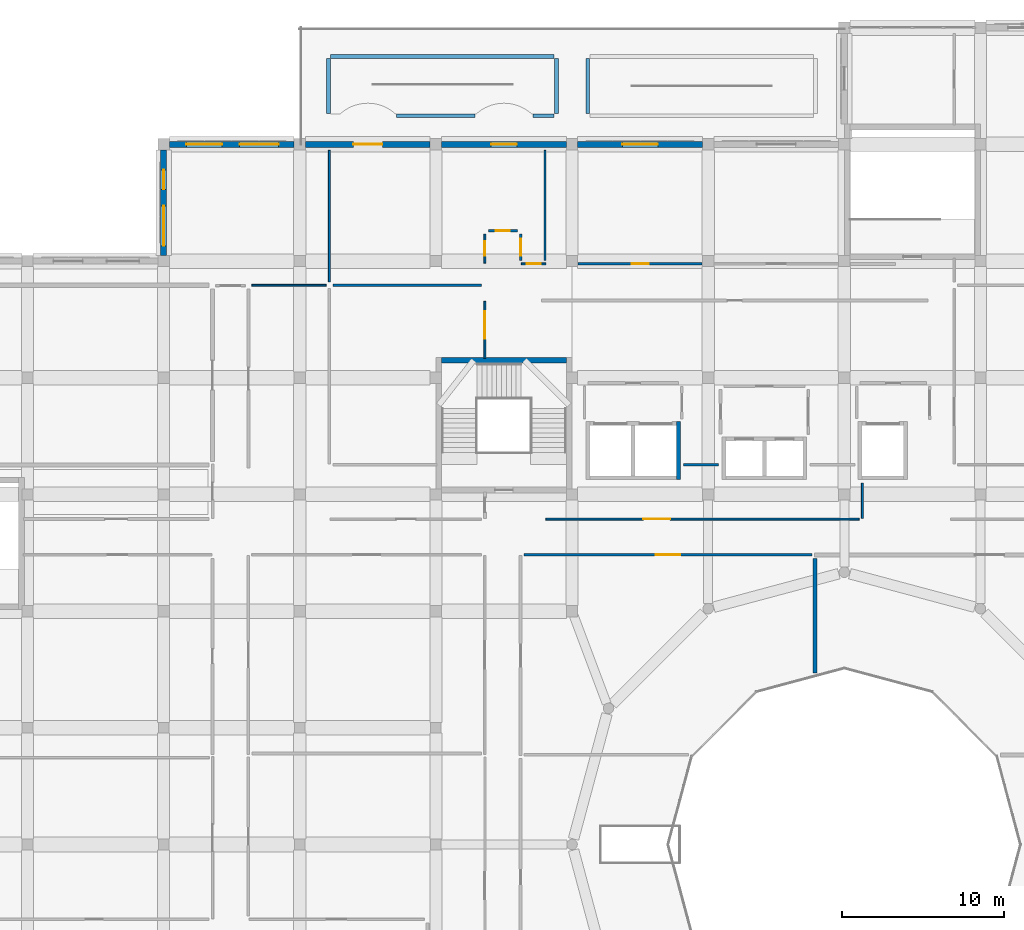
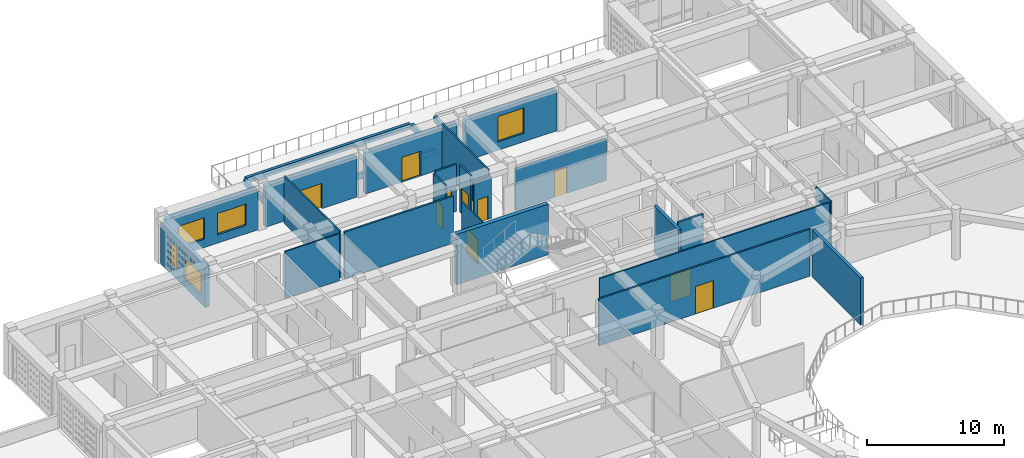
# One storey, part 48 of 79: 28 walls, 10 doors, 5 windows, 15 openings.
"""IFC4 building model written with IfcOpenShell, lengths in metres."""

from ifc_helpers import new_model, si_unit, derived_unit, direction, frame, frame_2d, origin, place, context, subcontext, project, spatial, rectangle, extrude, material, layer, layer_set, type_object, element, fill, save


model = new_model("IFC4")

# Units and contexts
model_context = context("Model", 3, precision=1e-05, world=origin(), true_north=direction((0.0, 1.0)))
body_context = subcontext(model_context, "Body", "Model", "MODEL_VIEW")
ifc_project = project(units=[si_unit("LENGTHUNIT", "METRE"), si_unit("AREAUNIT", "SQUARE_METRE"), si_unit("VOLUMEUNIT", "CUBIC_METRE"), si_unit("PLANEANGLEUNIT", "RADIAN"), si_unit("MASSUNIT", "GRAM", prefix="KILO"), derived_unit("THERMALTRANSMITTANCEUNIT", [(si_unit("POWERUNIT", "WATT"), 1), (si_unit("LENGTHUNIT", "METRE"), -2), (si_unit("THERMODYNAMICTEMPERATUREUNIT", "KELVIN"), -1)])], contexts=[model_context])

# Site, building, storey
site_placement = place(None, origin())
site = spatial("IfcSite", under=ifc_project, at=site_placement, CompositionType="ELEMENT")
building_placement = place(site_placement, origin())
building = spatial("IfcBuilding", under=site, at=building_placement, Name="Veybourne Emporium", CompositionType="ELEMENT")
storey_placement = place(building_placement, frame((0.0, 0.0, 18.89990234375)))
storey = spatial("IfcBuildingStorey", under=building, at=storey_placement, Name="L04", CompositionType="ELEMENT", Elevation=18.89990234375)

# Wall, openings, windows
ifc_material_1 = material(Name="Portland Limestone Ashlar", Category="masonry")
ifc_layer_1 = layer(ifc_material_1, 0.3798828125)
ifc_layer_set_1 = layer_set([ifc_layer_1], Name="Portland Limestone Ashlar")
wall_type_1 = type_object("IfcWallType", Name="ExtWall_EW-03", PredefinedType="SOLIDWALL", material=ifc_layer_set_1)
wall_1_placement = place(storey_placement, frame((33.949951171875, 93.60009765625, 0.0), z_axis=(0.0, 0.0, 1.0), x_axis=(1.0, 0.0, 0.0)))
wall_1 = element("IfcWall", 1, at=wall_1_placement, inside=storey, type_object=wall_type_1, Name="L04 Portland stone external wall 022", PredefinedType="SOLIDWALL", context=body_context, shape_type="SweptSolid", body=[
    extrude(rectangle(XDim=7.699951171875, YDim=0.3798828125, at=frame_2d((3.85009765625, 0.0))), origin(), (0.0, 0.0, 1.0), 3.630126953125),
])
opening_1_placement = place(wall_1_placement, frame((1.055908203125, 0.0, 0.75)))
opening_1 = element("IfcOpeningElement", 2, at=opening_1_placement, cuts=wall_1, Name="Opening W-06", PredefinedType="OPENING", context=body_context, shape_type="SweptSolid", body=[
    extrude(rectangle(XDim=2.199951171875, YDim=1.89990234375, at=frame_2d((1.10009765625, 0.949951171875))), frame((0.0, 0.2099609375, 0.0), z_axis=(0.0, -1.0, 0.0), x_axis=(1.0, 0.0, 0.0)), (0.0, 0.0, 1.0), 0.419921875),
])
opening_2_placement = place(wall_1_placement, frame((4.343994140625, 0.0, 0.75)))
opening_2 = element("IfcOpeningElement", 3, at=opening_2_placement, cuts=wall_1, Name="Opening W-07", PredefinedType="OPENING", context=body_context, shape_type="SweptSolid", body=[
    extrude(rectangle(XDim=2.39990234375, YDim=1.89990234375, at=frame_2d((1.199951171875, 0.949951171875))), frame((0.0, 0.2099609375, 0.0), z_axis=(0.0, -1.0, 0.0), x_axis=(1.0, 0.0, 0.0)), (0.0, 0.0, 1.0), 0.419921875),
])
ifc_material_2 = material(Name="Low-E Triple Glazing", Category="glass")
window_type_1 = type_object("IfcWindowType", Name="Win_W-06", PartitioningType="TRIPLE_PANEL_VERTICAL", PredefinedType="WINDOW", material=ifc_material_2)
window_1_placement = place(opening_1_placement, origin())
window_1 = element("IfcWindow", 4, at=window_1_placement, inside=storey, type_object=window_type_1, Name="L04 tripartite bronze casement window W-06 (22.1)", OverallHeight=1.89990234375, OverallWidth=2.199951171875, PartitioningType="TRIPLE_PANEL_VERTICAL", PredefinedType="WINDOW", context=body_context, shape_type="SweptSolid", body=[
    extrude(rectangle(XDim=2.199951171875, YDim=1.89990234375, at=frame_2d((1.10009765625, 0.949951171875))), frame((0.0, 0.030029296875, 0.0), z_axis=(0.0, -1.0, 0.0), x_axis=(1.0, 0.0, 0.0)), (0.0, 0.0, 1.0), 0.06005859375),
])
fill(opening_1, window_1)
window_type_2 = type_object("IfcWindowType", Name="Win_W-07", PartitioningType="TRIPLE_PANEL_VERTICAL", PredefinedType="WINDOW", material=ifc_material_2)
window_2_placement = place(opening_2_placement, origin())
window_2 = element("IfcWindow", 5, at=window_2_placement, inside=storey, type_object=window_type_2, Name="L04 tripartite bronze casement window W-07 (22.2)", OverallHeight=1.89990234375, OverallWidth=2.39990234375, PartitioningType="TRIPLE_PANEL_VERTICAL", PredefinedType="WINDOW", context=body_context, shape_type="SweptSolid", body=[
    extrude(rectangle(XDim=2.39990234375, YDim=1.89990234375, at=frame_2d((1.199951171875, 0.949951171875))), frame((0.0, 0.030029296875, 0.0), z_axis=(0.0, -1.0, 0.0), x_axis=(1.0, 0.0, 0.0)), (0.0, 0.0, 1.0), 0.06005859375),
])
fill(opening_2, window_2)

wall_2_placement = place(storey_placement, frame((33.60009765625, 86.75, 0.0), z_axis=(0.0, 0.0, 1.0), x_axis=(0.0, 1.0, 0.0)))
wall_2 = element("IfcWall", 6, at=wall_2_placement, inside=storey, type_object=wall_type_1, Name="L04 Portland stone external wall 023", PredefinedType="SOLIDWALL", context=body_context, shape_type="SweptSolid", body=[
    extrude(rectangle(XDim=6.5, YDim=0.3798828125, at=frame_2d((3.25, 0.0))), origin(), (0.0, 0.0, 1.0), 3.630126953125),
])
opening_3_placement = place(wall_2_placement, frame((0.5849609375, 0.0, 0.75)))
opening_3 = element("IfcOpeningElement", 7, at=opening_3_placement, cuts=wall_2, Name="Opening W-08", PredefinedType="OPENING", context=body_context, shape_type="SweptSolid", body=[
    extrude(rectangle(XDim=2.469970703125, YDim=1.89990234375, at=frame_2d((1.23486328125, 0.949951171875))), frame((0.0, 0.2099609375, 0.0), z_axis=(0.0, -1.0, 0.0), x_axis=(1.0, 0.0, 0.0)), (0.0, 0.0, 1.0), 0.419921875),
])
opening_4_placement = place(wall_2_placement, frame((4.080078125, 0.0, 0.75)))
opening_4 = element("IfcOpeningElement", 8, at=opening_4_placement, cuts=wall_2, Name="Opening W-09", PredefinedType="OPENING", context=body_context, shape_type="SweptSolid", body=[
    extrude(rectangle(XDim=1.199951171875, YDim=2.080078125, at=frame_2d((0.60009765625, 1.0400390625))), frame((0.0, 0.2099609375, 0.0), z_axis=(0.0, -1.0, 0.0), x_axis=(1.0, 0.0, 0.0)), (0.0, 0.0, 1.0), 0.419921875),
])
window_type_3 = type_object("IfcWindowType", Name="Win_W-08", PartitioningType="TRIPLE_PANEL_VERTICAL", PredefinedType="WINDOW", material=ifc_material_2)
window_3_placement = place(opening_3_placement, origin())
window_3 = element("IfcWindow", 9, at=window_3_placement, inside=storey, type_object=window_type_3, Name="L04 tripartite bronze casement window W-08 (23.1)", OverallHeight=1.89990234375, OverallWidth=2.469970703125, PartitioningType="TRIPLE_PANEL_VERTICAL", PredefinedType="WINDOW", context=body_context, shape_type="SweptSolid", body=[
    extrude(rectangle(XDim=2.469970703125, YDim=1.89990234375, at=frame_2d((1.23486328125, 0.949951171875))), frame((0.0, 0.030029296875, 0.0), z_axis=(0.0, -1.0, 0.0), x_axis=(1.0, 0.0, 0.0)), (0.0, 0.0, 1.0), 0.06005859375),
])
fill(opening_3, window_3)
window_type_4 = type_object("IfcWindowType", Name="Win_W-09", PartitioningType="SINGLE_PANEL", PredefinedType="WINDOW", material=ifc_material_2)
window_4_placement = place(opening_4_placement, origin())
window_4 = element("IfcWindow", 10, at=window_4_placement, inside=storey, type_object=window_type_4, Name="L04 tripartite bronze casement window W-09 (23.2)", OverallHeight=2.080078125, OverallWidth=1.199951171875, PartitioningType="SINGLE_PANEL", PredefinedType="WINDOW", context=body_context, shape_type="SweptSolid", body=[
    extrude(rectangle(XDim=1.199951171875, YDim=2.080078125, at=frame_2d((0.60009765625, 1.0400390625))), frame((0.0, 0.030029296875, 0.0), z_axis=(0.0, -1.0, 0.0), x_axis=(1.0, 0.0, 0.0)), (0.0, 0.0, 1.0), 0.06005859375),
])
fill(opening_4, window_4)

# Wall, opening, door
wall_3_placement = place(storey_placement, frame((42.35009765625, 93.60009765625, 0.0), z_axis=(0.0, 0.0, 1.0), x_axis=(1.0, 0.0, 0.0)))
wall_3 = element("IfcWall", 11, at=wall_3_placement, inside=storey, type_object=wall_type_1, Name="L04 terrace facade wall 030", PredefinedType="SOLIDWALL", context=body_context, shape_type="SweptSolid", body=[
    extrude(rectangle(XDim=7.699951171875, YDim=0.3798828125, at=frame_2d((3.85009765625, 0.0))), origin(), (0.0, 0.0, 1.0), 3.630126953125),
])
opening_5_placement = place(wall_3_placement, frame((2.949951171875, 0.0, 0.0)))
opening_5 = element("IfcOpeningElement", 12, at=opening_5_placement, cuts=wall_3, Name="Opening TD-01", PredefinedType="OPENING", context=body_context, shape_type="SweptSolid", body=[
    extrude(rectangle(XDim=1.800048828125, YDim=2.25, at=frame_2d((0.89990234375, 1.125))), frame((0.0, 0.2099609375, 0.0), z_axis=(0.0, -1.0, 0.0), x_axis=(1.0, 0.0, 0.0)), (0.0, 0.0, 1.0), 0.419921875),
])
ifc_material_3 = material(Name="Patinated Architectural Bronze", Category="bronze")
door_type_1 = type_object("IfcDoorType", Name="TerrDoor_TD-01", OperationType="NOTDEFINED", PredefinedType="DOOR", material=ifc_material_3)
door_1_placement = place(opening_5_placement, origin())
door_1 = element("IfcDoor", 13, at=door_1_placement, inside=storey, type_object=door_type_1, Name="L04 roof-garden terrace door 01", OperationType="SINGLE_SWING_RIGHT", OverallHeight=2.25, OverallWidth=1.800048828125, PredefinedType="DOOR", context=body_context, shape_type="SweptSolid", body=[
    extrude(rectangle(XDim=1.800048828125, YDim=2.25, at=frame_2d((0.89990234375, 1.125))), frame((0.0, 0.02490234375, 0.0), z_axis=(0.0, -1.0, 0.0), x_axis=(1.0, 0.0, 0.0)), (0.0, 0.0, 1.0), 0.050048828125),
])
fill(opening_5, door_1)

wall_4_placement = place(storey_placement, frame((50.75, 93.60009765625, 0.0), z_axis=(0.0, 0.0, 1.0), x_axis=(1.0, 0.0, 0.0)))
wall_4 = element("IfcWall", 14, at=wall_4_placement, inside=storey, type_object=wall_type_1, Name="L04 terrace facade wall 032", PredefinedType="SOLIDWALL", context=body_context, shape_type="SweptSolid", body=[
    extrude(rectangle(XDim=7.699951171875, YDim=0.3798828125, at=frame_2d((3.85009765625, 0.0))), origin(), (0.0, 0.0, 1.0), 3.630126953125),
])
opening_6_placement = place(wall_4_placement, frame((3.050048828125, 0.0, 0.0)))
opening_6 = element("IfcOpeningElement", 15, at=opening_6_placement, cuts=wall_4, Name="Opening TD-02", PredefinedType="OPENING", context=body_context, shape_type="SweptSolid", body=[
    extrude(rectangle(XDim=1.60009765625, YDim=2.199951171875, at=frame_2d((0.800048828125, 1.10009765625))), frame((0.0, 0.2099609375, 0.0), z_axis=(0.0, -1.0, 0.0), x_axis=(1.0, 0.0, 0.0)), (0.0, 0.0, 1.0), 0.419921875),
])
door_type_2 = type_object("IfcDoorType", Name="TerrDoor_TD-02", OperationType="NOTDEFINED", PredefinedType="DOOR", material=ifc_material_3)
door_2_placement = place(opening_6_placement, origin())
door_2 = element("IfcDoor", 16, at=door_2_placement, inside=storey, type_object=door_type_2, Name="L04 roof-garden terrace door 02", OperationType="SINGLE_SWING_LEFT", OverallHeight=2.199951171875, OverallWidth=1.60009765625, PredefinedType="DOOR", context=body_context, shape_type="SweptSolid", body=[
    extrude(rectangle(XDim=1.60009765625, YDim=2.199951171875, at=frame_2d((0.800048828125, 1.10009765625))), frame((0.0, 0.02490234375, 0.0), z_axis=(0.0, -1.0, 0.0), x_axis=(1.0, 0.0, 0.0)), (0.0, 0.0, 1.0), 0.050048828125),
])
fill(opening_6, door_2)

# Wall, opening, window
wall_5_placement = place(storey_placement, frame((59.14990234375, 93.60009765625, 0.0), z_axis=(0.0, 0.0, 1.0), x_axis=(1.0, 0.0, 0.0)))
wall_5 = element("IfcWall", 17, at=wall_5_placement, inside=storey, type_object=wall_type_1, Name="L04 terrace facade wall 035", PredefinedType="SOLIDWALL", context=body_context, shape_type="SweptSolid", body=[
    extrude(rectangle(XDim=7.7001953125, YDim=0.3798828125, at=frame_2d((3.85009765625, 0.0))), origin(), (0.0, 0.0, 1.0), 3.630126953125),
])
opening_7_placement = place(wall_5_placement, frame((2.75, 0.0, 0.75)))
opening_7 = element("IfcOpeningElement", 18, at=opening_7_placement, cuts=wall_5, Name="Opening W-22", PredefinedType="OPENING", context=body_context, shape_type="SweptSolid", body=[
    extrude(rectangle(XDim=2.199951171875, YDim=2.260009765625, at=frame_2d((1.10009765625, 1.1298828125))), frame((0.0, 0.2099609375, 0.0), z_axis=(0.0, -1.0, 0.0), x_axis=(1.0, 0.0, 0.0)), (0.0, 0.0, 1.0), 0.419921875),
])
window_type_5 = type_object("IfcWindowType", Name="Win_W-22", PartitioningType="TRIPLE_PANEL_VERTICAL", PredefinedType="WINDOW", material=ifc_material_2)
window_5_placement = place(opening_7_placement, origin())
window_5 = element("IfcWindow", 19, at=window_5_placement, inside=storey, type_object=window_type_5, Name="L04 terrace window 035", OverallHeight=2.260009765625, OverallWidth=2.199951171875, PartitioningType="TRIPLE_PANEL_VERTICAL", PredefinedType="WINDOW", context=body_context, shape_type="SweptSolid", body=[
    extrude(rectangle(XDim=2.199951171875, YDim=2.260009765625, at=frame_2d((1.10009765625, 1.1298828125))), frame((0.0, 0.030029296875, 0.0), z_axis=(0.0, -1.0, 0.0), x_axis=(1.0, 0.0, 0.0)), (0.0, 0.0, 1.0), 0.06005859375),
])
fill(opening_7, window_5)

# Walls
ifc_material_4 = material(Name="Precast concrete C40/50", Category="concrete")
ifc_layer_2 = layer(ifc_material_4, 0.239990234375)
ifc_layer_set_2 = layer_set([ifc_layer_2], Name="Precast concrete C40/50")
wall_type_2 = type_object("IfcWallType", Name="ExtWall_PW-02", PredefinedType="PARAPET", material=ifc_layer_set_2)
for number, where, z_axis, x_axis, name in (
    (20, (59.77001953125, 95.5, 0.0), (0.0, 0.0, 1.0), (0.0, 1.0, 0.0), "L04 planted roof-garden kerb 002"),
    (21, (43.77001953125, 95.5, 0.0), (0.0, 0.0, 1.0), (0.0, 1.0, 0.0), "L04 planted roof-garden kerb 005"),
):
    element("IfcWall", number, at=place(storey_placement, frame(where, z_axis=z_axis, x_axis=x_axis)), inside=storey, type_object=wall_type_2, Name=name, PredefinedType="PARAPET", context=body_context, shape_type="SweptSolid", body=[
        extrude(rectangle(XDim=3.39990234375, YDim=0.239990234375, at=frame_2d((1.699951171875, 0.0))), origin(), (0.0, 0.0, 1.0), 0.5),
    ])
wall_6_placement = place(storey_placement, frame((43.89990234375, 99.030029296875, 0.0), z_axis=(0.0, 0.0, 1.0), x_axis=(1.0, 0.0, 0.0)))
element("IfcWall", 22, at=wall_6_placement, inside=storey, type_object=wall_type_2, Name="L04 planted roof-garden kerb 006", PredefinedType="PARAPET", context=body_context, shape_type="SweptSolid", body=[
    extrude(rectangle(XDim=13.800048828125, YDim=0.239990234375, at=frame_2d((6.89990234375, 0.0))), origin(), (0.0, 0.0, 1.0), 0.5),
])
wall_7_placement = place(storey_placement, frame((57.830078125, 98.89990234375, 0.0), z_axis=(0.0, 0.0, 1.0), x_axis=(0.0, -1.0, 0.0)))
element("IfcWall", 23, at=wall_7_placement, inside=storey, type_object=wall_type_2, Name="L04 planted roof-garden kerb 007", PredefinedType="PARAPET", context=body_context, shape_type="SweptSolid", body=[
    extrude(rectangle(XDim=3.39990234375, YDim=0.239990234375, at=frame_2d((1.699951171875, 0.0))), origin(), (0.0, 0.0, 1.0), 0.5),
])
wall_8_placement = place(storey_placement, frame((57.699951171875, 95.3701171875, 0.0), z_axis=(0.0, 0.0, 1.0), x_axis=(-1.0, 0.0, 0.0)))
element("IfcWall", 24, at=wall_8_placement, inside=storey, type_object=wall_type_2, Name="L04 planted roof-garden kerb 008", PredefinedType="PARAPET", context=body_context, shape_type="SweptSolid", body=[
    extrude(rectangle(XDim=1.32177734375, YDim=0.239990234375, at=frame_2d((0.660888671875, 0.0))), origin(), (0.0, 0.0, 1.0), 0.5),
])
wall_9_placement = place(storey_placement, frame((52.822021484375, 95.3701171875, 0.0), z_axis=(0.0, 0.0, 1.0), x_axis=(-1.0, 0.0, 0.0)))
element("IfcWall", 25, at=wall_9_placement, inside=storey, type_object=wall_type_2, Name="L04 planted roof-garden kerb 009", PredefinedType="PARAPET", context=body_context, shape_type="SweptSolid", body=[
    extrude(rectangle(XDim=4.843994140625, YDim=0.239990234375, at=frame_2d((2.421875, 0.0))), origin(), (0.0, 0.0, 1.0), 0.5),
])
ifc_material_5 = material(Name="Concrete C40/50", Category="concrete")
ifc_layer_3 = layer(ifc_material_5, 0.35009765625)
ifc_layer_set_3 = layer_set([ifc_layer_3], Name="Concrete C40/50")
wall_type_3 = type_object("IfcWallType", Name="IntWall_CW-02", PredefinedType="SHEAR", material=ifc_layer_set_3)
wall_10_placement = place(storey_placement, frame((50.75, 80.27490234375, 0.0), z_axis=(0.0, 0.0, 1.0), x_axis=(1.0, 0.0, 0.0)))
element("IfcWall", 26, at=wall_10_placement, inside=storey, type_object=wall_type_3, Name="Core stair ST-03 north shear wall (L04)", PredefinedType="SHEAR", context=body_context, shape_type="SweptSolid", body=[
    extrude(rectangle(XDim=7.699951171875, YDim=0.35009765625, at=frame_2d((3.85009765625, 0.0))), origin(), (0.0, 0.0, 1.0), 4.5),
])
ifc_layer_4 = layer(ifc_material_5, 0.239990234375)
ifc_layer_set_4 = layer_set([ifc_layer_4], Name="Concrete C40/50")
wall_type_4 = type_object("IfcWallType", Name="IntWall_CW-04", PredefinedType="SHEAR", material=ifc_layer_set_4)
wall_11_placement = place(storey_placement, frame((65.360107421875, 72.909912109375, 0.0), z_axis=(0.0, 0.0, 1.0), x_axis=(0.0, 1.0, 0.0)))
element("IfcWall", 27, at=wall_11_placement, inside=storey, type_object=wall_type_4, Name="Lift core C4G east shaft wall (L04)", PredefinedType="SHEAR", context=body_context, shape_type="SweptSolid", body=[
    extrude(rectangle(XDim=3.580078125, YDim=0.239990234375, at=frame_2d((1.7900390625, 0.0))), origin(), (0.0, 0.0, 1.0), 4.18017578125),
])
ifc_material_6 = material(Name="Concrete C32/40", Category="concrete")
ifc_layer_5 = layer(ifc_material_6, 0.25)
ifc_layer_set_5 = layer_set([ifc_layer_5], Name="Concrete C32/40")
wall_type_5 = type_object("IfcWallType", Name="IntWall_FW-01", PredefinedType="SOLIDWALL", material=ifc_layer_set_5)
wall_12_placement = place(storey_placement, frame((73.804931640625, 60.98291015625, 0.0), z_axis=(0.0, 0.0, 1.0), x_axis=(0.0, 1.0, 0.0)))
element("IfcWall", 28, at=wall_12_placement, inside=storey, type_object=wall_type_5, Name="L04 interior partition FW-01 #125", PredefinedType="SOLIDWALL", context=body_context, shape_type="SweptSolid", body=[
    extrude(rectangle(XDim=7.0771484375, YDim=0.25, at=frame_2d((3.53857421875, 0.0))), origin(), (0.0, 0.0, 1.0), 4.18017578125),
])
ifc_material_7 = material(Name="Gypsum Acoustic Board", Category="gypsum")
ifc_layer_6 = layer(ifc_material_7, 0.179931640625)
ifc_layer_set_6 = layer_set([ifc_layer_6], Name="Gypsum Acoustic Board")
wall_type_6 = type_object("IfcWallType", Name="IntWall_IW-01", PredefinedType="PARTITIONING", material=ifc_layer_set_6)
wall_13_placement = place(storey_placement, frame((65.68994140625, 73.830078125, 0.0), z_axis=(0.0, 0.0, 1.0), x_axis=(1.0, 0.0, 0.0)))
element("IfcWall", 29, at=wall_13_placement, inside=storey, type_object=wall_type_6, Name="L04 interior partition IW-01 #139", PredefinedType="PARTITIONING", context=body_context, shape_type="SweptSolid", body=[
    extrude(rectangle(XDim=2.16015625, YDim=0.179931640625, at=frame_2d((1.080078125, 0.0))), origin(), (0.0, 0.0, 1.0), 4.18017578125),
])

# Wall, opening, door
ifc_layer_7 = layer(ifc_material_7, 0.14990234375)
ifc_layer_set_7 = layer_set([ifc_layer_7], Name="Gypsum Acoustic Board")
wall_type_7 = type_object("IfcWallType", Name="IntWall_IW-02", PredefinedType="PARTITIONING", material=ifc_layer_set_7)
wall_14_placement = place(storey_placement, frame((59.169921875, 86.22998046875, 0.0), z_axis=(0.0, 0.0, 1.0), x_axis=(1.0, 0.0, 0.0)))
wall_14 = element("IfcWall", 30, at=wall_14_placement, inside=storey, type_object=wall_type_7, Name="L04 interior partition IW-02 #002", PredefinedType="PARTITIONING", context=body_context, shape_type="SweptSolid", body=[
    extrude(rectangle(XDim=7.66015625, YDim=0.14990234375, at=frame_2d((3.830078125, 0.0))), origin(), (0.0, 0.0, 1.0), 3.72998046875),
])
opening_8_placement = place(wall_14_placement, frame((3.31005859375, 0.0, 0.0)))
opening_8 = element("IfcOpeningElement", 31, at=opening_8_placement, cuts=wall_14, Name="Opening D-26", PredefinedType="OPENING", context=body_context, shape_type="SweptSolid", body=[
    extrude(rectangle(XDim=1.0400390625, YDim=2.3701171875, at=frame_2d((0.52001953125, 1.18505859375))), frame((0.0, 0.094970703125, 0.0), z_axis=(0.0, -1.0, 0.0), x_axis=(1.0, 0.0, 0.0)), (0.0, 0.0, 1.0), 0.18994140625),
])
ifc_material_8 = material(Name="European Oak Veneer and Bronze", Category="wood")
door_type_3 = type_object("IfcDoorType", Name="IntDoor_D-26", OperationType="NOTDEFINED", PredefinedType="DOOR", material=ifc_material_8)
door_3_placement = place(opening_8_placement, origin())
door_3 = element("IfcDoor", 32, at=door_3_placement, inside=storey, type_object=door_type_3, Name="L04 interior door D-26 (PART-L04-002)", OperationType="SINGLE_SWING_RIGHT", OverallHeight=2.3701171875, OverallWidth=1.0400390625, PredefinedType="DOOR", context=body_context, shape_type="SweptSolid", body=[
    extrude(rectangle(XDim=1.0400390625, YDim=2.3701171875, at=frame_2d((0.52001953125, 1.18505859375))), frame((0.0, 0.02490234375, 0.0), z_axis=(0.0, -1.0, 0.0), x_axis=(1.0, 0.0, 0.0)), (0.0, 0.0, 1.0), 0.050048828125),
])
fill(opening_8, door_3)

wall_15_placement = place(storey_placement, frame((55.840087890625, 68.27001953125, 0.0), z_axis=(0.0, 0.0, 1.0), x_axis=(1.0, 0.0, 0.0)))
wall_15 = element("IfcWall", 33, at=wall_15_placement, inside=storey, type_object=wall_type_7, Name="L04 interior partition IW-02 #011", PredefinedType="PARTITIONING", context=body_context, shape_type="SweptSolid", body=[
    extrude(rectangle(XDim=17.7548828125, YDim=0.14990234375, at=frame_2d((8.87744140625, 0.0))), origin(), (0.0, 0.0, 1.0), 4.18017578125),
])
opening_9_placement = place(wall_15_placement, frame((8.117431640625, 0.0, 0.0)))
opening_9 = element("IfcOpeningElement", 34, at=opening_9_placement, cuts=wall_15, Name="Opening D-35", PredefinedType="OPENING", context=body_context, shape_type="SweptSolid", body=[
    extrude(rectangle(XDim=1.52001953125, YDim=2.449951171875, at=frame_2d((0.760009765625, 1.22509765625))), frame((0.0, 0.094970703125, 0.0), z_axis=(0.0, -1.0, 0.0), x_axis=(1.0, 0.0, 0.0)), (0.0, 0.0, 1.0), 0.18994140625),
])
door_type_4 = type_object("IfcDoorType", Name="IntDoor_D-35", OperationType="NOTDEFINED", PredefinedType="DOOR", material=ifc_material_8)
door_4_placement = place(opening_9_placement, origin())
door_4 = element("IfcDoor", 35, at=door_4_placement, inside=storey, type_object=door_type_4, Name="L04 interior door D-35 (PART-L04-011)", OperationType="SINGLE_SWING_RIGHT", OverallHeight=2.449951171875, OverallWidth=1.52001953125, PredefinedType="DOOR", context=body_context, shape_type="SweptSolid", body=[
    extrude(rectangle(XDim=1.52001953125, YDim=2.449951171875, at=frame_2d((0.760009765625, 1.22509765625))), frame((0.0, 0.02490234375, 0.0), z_axis=(0.0, -1.0, 0.0), x_axis=(1.0, 0.0, 0.0)), (0.0, 0.0, 1.0), 0.050048828125),
])
fill(opening_9, door_4)

wall_16_placement = place(storey_placement, frame((53.6298828125, 88.280029296875, 0.0), z_axis=(0.0, 0.0, 1.0), x_axis=(1.0, 0.0, 0.0)))
wall_16 = element("IfcWall", 36, at=wall_16_placement, inside=storey, type_object=wall_type_7, Name="L04 interior partition IW-02 #101", PredefinedType="PARTITIONING", context=body_context, shape_type="SweptSolid", body=[
    extrude(rectangle(XDim=1.7900390625, YDim=0.14990234375, at=frame_2d((0.89501953125, 0.0))), origin(), (0.0, 0.0, 1.0), 4.18017578125),
])
opening_10_placement = place(wall_16_placement, frame((0.455078125, 0.0, 0.0)))
opening_10 = element("IfcOpeningElement", 37, at=opening_10_placement, cuts=wall_16, Name="Opening D-01", PredefinedType="OPENING", context=body_context, shape_type="SweptSolid", body=[
    extrude(rectangle(XDim=0.8798828125, YDim=2.050048828125, at=frame_2d((0.43994140625, 1.02490234375))), frame((0.0, 0.094970703125, 0.0), z_axis=(0.0, -1.0, 0.0), x_axis=(1.0, 0.0, 0.0)), (0.0, 0.0, 1.0), 0.18994140625),
])
door_type_5 = type_object("IfcDoorType", Name="IntDoor_D-01", OperationType="NOTDEFINED", PredefinedType="DOOR", material=ifc_material_8)
door_5_placement = place(opening_10_placement, origin())
door_5 = element("IfcDoor", 38, at=door_5_placement, inside=storey, type_object=door_type_5, Name="L04 interior door D-01 (PART-L04-101)", OperationType="SINGLE_SWING_LEFT", OverallHeight=2.050048828125, OverallWidth=0.8798828125, PredefinedType="DOOR", context=body_context, shape_type="SweptSolid", body=[
    extrude(rectangle(XDim=0.8798828125, YDim=2.050048828125, at=frame_2d((0.43994140625, 1.02490234375))), frame((0.0, 0.02490234375, 0.0), z_axis=(0.0, -1.0, 0.0), x_axis=(1.0, 0.0, 0.0)), (0.0, 0.0, 1.0), 0.050048828125),
])
fill(opening_10, door_5)

wall_17_placement = place(storey_placement, frame((55.6298828125, 86.43994140625, 0.0), z_axis=(0.0, 0.0, 1.0), x_axis=(0.0, 1.0, 0.0)))
wall_17 = element("IfcWall", 39, at=wall_17_placement, inside=storey, type_object=wall_type_7, Name="L04 interior partition IW-02 #104", PredefinedType="PARTITIONING", context=body_context, shape_type="SweptSolid", body=[
    extrude(rectangle(XDim=1.630126953125, YDim=0.14990234375, at=frame_2d((0.81494140625, 0.0))), origin(), (0.0, 0.0, 1.0), 4.18017578125),
])
opening_11_placement = place(wall_17_placement, frame((0.294921875, 0.0, 0.0)))
opening_11 = element("IfcOpeningElement", 40, at=opening_11_placement, cuts=wall_17, Name="Opening D-20", PredefinedType="OPENING", context=body_context, shape_type="SweptSolid", body=[
    extrude(rectangle(XDim=1.0400390625, YDim=2.2900390625, at=frame_2d((0.52001953125, 1.14501953125))), frame((0.0, 0.094970703125, 0.0), z_axis=(0.0, -1.0, 0.0), x_axis=(1.0, 0.0, 0.0)), (0.0, 0.0, 1.0), 0.18994140625),
])
door_type_6 = type_object("IfcDoorType", Name="IntDoor_D-20", OperationType="NOTDEFINED", PredefinedType="DOOR", material=ifc_material_8)
door_6_placement = place(opening_11_placement, origin())
door_6 = element("IfcDoor", 41, at=door_6_placement, inside=storey, type_object=door_type_6, Name="L04 interior door D-20 (PART-L04-104)", OperationType="SINGLE_SWING_RIGHT", OverallHeight=2.2900390625, OverallWidth=1.0400390625, PredefinedType="DOOR", context=body_context, shape_type="SweptSolid", body=[
    extrude(rectangle(XDim=1.0400390625, YDim=2.2900390625, at=frame_2d((0.52001953125, 1.14501953125))), frame((0.0, 0.02490234375, 0.0), z_axis=(0.0, -1.0, 0.0), x_axis=(1.0, 0.0, 0.0)), (0.0, 0.0, 1.0), 0.050048828125),
])
fill(opening_11, door_6)

# Wall
wall_18_placement = place(storey_placement, frame((44.0400390625, 84.906982421875, 0.0), z_axis=(0.0, 0.0, 1.0), x_axis=(1.0, 0.0, 0.0)))
element("IfcWall", 42, at=wall_18_placement, inside=storey, type_object=wall_type_7, Name="L04 interior partition IW-02 #122", PredefinedType="PARTITIONING", context=body_context, shape_type="SweptSolid", body=[
    extrude(rectangle(XDim=9.169921875, YDim=0.14990234375, at=frame_2d((4.5849609375, 0.0))), origin(), (0.0, 0.0, 1.0), 4.18017578125),
])

# Wall, opening, door
ifc_layer_8 = layer(ifc_material_7, 0.1201171875)
ifc_layer_set_8 = layer_set([ifc_layer_8], Name="Gypsum Acoustic Board")
wall_type_8 = type_object("IfcWallType", Name="IntWall_IW-03", PredefinedType="PARTITIONING", material=ifc_layer_set_8)
wall_19_placement = place(storey_placement, frame((57.179931640625, 70.47998046875, 0.0), z_axis=(0.0, 0.0, 1.0), x_axis=(1.0, 0.0, 0.0)))
wall_19 = element("IfcWall", 43, at=wall_19_placement, inside=storey, type_object=wall_type_8, Name="L04 interior partition IW-03 #006", PredefinedType="PARTITIONING", context=body_context, shape_type="SweptSolid", body=[
    extrude(rectangle(XDim=19.330078125, YDim=0.1201171875, at=frame_2d((9.6650390625, 0.0))), origin(), (0.0, 0.0, 1.0), 4.18017578125),
])
opening_12_placement = place(wall_19_placement, frame((6.0009765625, 0.0, 0.0)))
opening_12 = element("IfcOpeningElement", 44, at=opening_12_placement, cuts=wall_19, Name="Opening D-30", PredefinedType="OPENING", context=body_context, shape_type="SweptSolid", body=[
    extrude(rectangle(XDim=1.679931640625, YDim=2.3701171875, at=frame_2d((0.83984375, 1.18505859375))), frame((0.0, 0.080078125, 0.0), z_axis=(0.0, -1.0, 0.0), x_axis=(1.0, 0.0, 0.0)), (0.0, 0.0, 1.0), 0.16015625),
])
door_type_7 = type_object("IfcDoorType", Name="IntDoor_D-30", OperationType="DOUBLE_DOOR_SINGLE_SWING", PredefinedType="DOOR", material=ifc_material_8)
door_7_placement = place(opening_12_placement, origin())
door_7 = element("IfcDoor", 45, at=door_7_placement, inside=storey, type_object=door_type_7, Name="L04 interior door D-30 (PART-L04-006)", OperationType="DOUBLE_DOOR_SINGLE_SWING", OverallHeight=2.3701171875, OverallWidth=1.679931640625, PredefinedType="DOOR", context=body_context, shape_type="SweptSolid", body=[
    extrude(rectangle(XDim=1.679931640625, YDim=2.3701171875, at=frame_2d((0.83984375, 1.18505859375))), frame((0.0, 0.02490234375, 0.0), z_axis=(0.0, -1.0, 0.0), x_axis=(1.0, 0.0, 0.0)), (0.0, 0.0, 1.0), 0.050048828125),
])
fill(opening_12, door_7)

wall_20_placement = place(storey_placement, frame((53.419921875, 80.389892578125, 0.0), z_axis=(0.0, 0.0, 1.0), x_axis=(0.0, 1.0, 0.0)))
wall_20 = element("IfcWall", 46, at=wall_20_placement, inside=storey, type_object=wall_type_8, Name="L04 interior partition IW-03 #066", PredefinedType="PARTITIONING", context=body_context, shape_type="SweptSolid", body=[
    extrude(rectangle(XDim=3.530029296875, YDim=0.1201171875, at=frame_2d((1.76513671875, 0.0))), origin(), (0.0, 0.0, 1.0), 4.18017578125),
])
opening_13_placement = place(wall_20_placement, frame((1.220947265625, 0.0, 0.0)))
opening_13 = element("IfcOpeningElement", 47, at=opening_13_placement, cuts=wall_20, Name="Opening D-18", PredefinedType="OPENING", context=body_context, shape_type="SweptSolid", body=[
    extrude(rectangle(XDim=1.679931640625, YDim=2.2099609375, at=frame_2d((0.83984375, 1.10498046875))), frame((0.0, 0.080078125, 0.0), z_axis=(0.0, -1.0, 0.0), x_axis=(1.0, 0.0, 0.0)), (0.0, 0.0, 1.0), 0.16015625),
])
door_type_8 = type_object("IfcDoorType", Name="IntDoor_D-18", OperationType="DOUBLE_DOOR_SINGLE_SWING", PredefinedType="DOOR", material=ifc_material_8)
door_8_placement = place(opening_13_placement, origin())
door_8 = element("IfcDoor", 48, at=door_8_placement, inside=storey, type_object=door_type_8, Name="L04 interior door D-18 (PART-L04-066)", OperationType="DOUBLE_DOOR_SINGLE_SWING", OverallHeight=2.2099609375, OverallWidth=1.679931640625, PredefinedType="DOOR", context=body_context, shape_type="SweptSolid", body=[
    extrude(rectangle(XDim=1.679931640625, YDim=2.2099609375, at=frame_2d((0.83984375, 1.10498046875))), frame((0.0, 0.02490234375, 0.0), z_axis=(0.0, -1.0, 0.0), x_axis=(1.0, 0.0, 0.0)), (0.0, 0.0, 1.0), 0.050048828125),
])
fill(opening_13, door_8)

# Wall
wall_21_placement = place(storey_placement, frame((76.719970703125, 70.530029296875, 0.0), z_axis=(0.0, 0.0, 1.0), x_axis=(0.0, 1.0, 0.0)))
element("IfcWall", 49, at=wall_21_placement, inside=storey, type_object=wall_type_8, Name="L04 interior partition IW-03 #081", PredefinedType="PARTITIONING", context=body_context, shape_type="SweptSolid", body=[
    extrude(rectangle(XDim=2.169921875, YDim=0.1201171875, at=frame_2d((1.0849609375, 0.0))), origin(), (0.0, 0.0, 1.0), 4.18017578125),
])

# Wall, opening, door
wall_22_placement = place(storey_placement, frame((53.419921875, 86.280029296875, 0.0), z_axis=(0.0, 0.0, 1.0), x_axis=(0.0, 1.0, 0.0)))
wall_22 = element("IfcWall", 50, at=wall_22_placement, inside=storey, type_object=wall_type_8, Name="L04 interior partition IW-03 #102", PredefinedType="PARTITIONING", context=body_context, shape_type="SweptSolid", body=[
    extrude(rectangle(XDim=1.7900390625, YDim=0.1201171875, at=frame_2d((0.89501953125, 0.0))), origin(), (0.0, 0.0, 1.0), 4.18017578125),
])
opening_14_placement = place(wall_22_placement, frame((0.455078125, 0.0, 0.0)))
opening_14 = element("IfcOpeningElement", 51, at=opening_14_placement, cuts=wall_22, Name="Opening D-01", PredefinedType="OPENING", context=body_context, shape_type="SweptSolid", body=[
    extrude(rectangle(XDim=0.8798828125, YDim=2.050048828125, at=frame_2d((0.43994140625, 1.02490234375))), frame((0.0, 0.080078125, 0.0), z_axis=(0.0, -1.0, 0.0), x_axis=(1.0, 0.0, 0.0)), (0.0, 0.0, 1.0), 0.16015625),
])
door_9_placement = place(opening_14_placement, origin())
door_9 = element("IfcDoor", 52, at=door_9_placement, inside=storey, type_object=door_type_5, Name="L04 interior door D-01 (PART-L04-102)", OperationType="SINGLE_SWING_RIGHT", OverallHeight=2.050048828125, OverallWidth=0.8798828125, PredefinedType="DOOR", context=body_context, shape_type="SweptSolid", body=[
    extrude(rectangle(XDim=0.8798828125, YDim=2.050048828125, at=frame_2d((0.43994140625, 1.02490234375))), frame((0.0, 0.02490234375, 0.0), z_axis=(0.0, -1.0, 0.0), x_axis=(1.0, 0.0, 0.0)), (0.0, 0.0, 1.0), 0.050048828125),
])
fill(opening_14, door_9)

wall_23_placement = place(storey_placement, frame((55.679931640625, 86.22998046875, 0.0), z_axis=(0.0, 0.0, 1.0), x_axis=(1.0, 0.0, 0.0)))
wall_23 = element("IfcWall", 53, at=wall_23_placement, inside=storey, type_object=wall_type_8, Name="L04 interior partition IW-03 #105", PredefinedType="PARTITIONING", context=body_context, shape_type="SweptSolid", body=[
    extrude(rectangle(XDim=1.5, YDim=0.1201171875, at=frame_2d((0.75, 0.0))), origin(), (0.0, 0.0, 1.0), 3.72998046875),
])
opening_15_placement = place(wall_23_placement, frame((0.31005859375, 0.0, 0.0)))
opening_15 = element("IfcOpeningElement", 54, at=opening_15_placement, cuts=wall_23, Name="Opening D-01", PredefinedType="OPENING", context=body_context, shape_type="SweptSolid", body=[
    extrude(rectangle(XDim=0.8798828125, YDim=2.050048828125, at=frame_2d((0.43994140625, 1.02490234375))), frame((0.0, 0.080078125, 0.0), z_axis=(0.0, -1.0, 0.0), x_axis=(1.0, 0.0, 0.0)), (0.0, 0.0, 1.0), 0.16015625),
])
door_10_placement = place(opening_15_placement, origin())
door_10 = element("IfcDoor", 55, at=door_10_placement, inside=storey, type_object=door_type_5, Name="L04 interior door D-01 (PART-L04-105)", OperationType="SINGLE_SWING_LEFT", OverallHeight=2.050048828125, OverallWidth=0.8798828125, PredefinedType="DOOR", context=body_context, shape_type="SweptSolid", body=[
    extrude(rectangle(XDim=0.8798828125, YDim=2.050048828125, at=frame_2d((0.43994140625, 1.02490234375))), frame((0.0, 0.02490234375, 0.0), z_axis=(0.0, -1.0, 0.0), x_axis=(1.0, 0.0, 0.0)), (0.0, 0.0, 1.0), 0.050048828125),
])
fill(opening_15, door_10)

# Walls
wall_24_placement = place(storey_placement, frame((43.830078125, 85.116943359375, 0.0), z_axis=(0.0, 0.0, 1.0), x_axis=(0.0, 1.0, 0.0)))
element("IfcWall", 56, at=wall_24_placement, inside=storey, type_object=wall_type_8, Name="L04 interior partition IW-03 #123", PredefinedType="PARTITIONING", context=body_context, shape_type="SweptSolid", body=[
    extrude(rectangle(XDim=8.113037109375, YDim=0.1201171875, at=frame_2d((4.056640625, 0.0))), origin(), (0.0, 0.0, 1.0), 4.18017578125),
])
wall_25_placement = place(storey_placement, frame((57.1298828125, 86.43994140625, 0.0), z_axis=(0.0, 0.0, 1.0), x_axis=(0.0, 1.0, 0.0)))
element("IfcWall", 57, at=wall_25_placement, inside=storey, type_object=wall_type_8, Name="L04 interior partition IW-03 #126", PredefinedType="PARTITIONING", context=body_context, shape_type="SweptSolid", body=[
    extrude(rectangle(XDim=6.7900390625, YDim=0.1201171875, at=frame_2d((3.39501953125, 0.0))), origin(), (0.0, 0.0, 1.0), 4.18017578125),
])
wall_26_placement = place(storey_placement, frame((39.0380859375, 84.906982421875, 0.0), z_axis=(0.0, 0.0, 1.0), x_axis=(1.0, 0.0, 0.0)))
element("IfcWall", 58, at=wall_26_placement, inside=storey, type_object=wall_type_8, Name="L04 interior partition IW-03 #129", PredefinedType="PARTITIONING", context=body_context, shape_type="SweptSolid", body=[
    extrude(rectangle(XDim=4.58203125, YDim=0.1201171875, at=frame_2d((2.291015625, 0.0))), origin(), (0.0, 0.0, 1.0), 4.18017578125),
])

save(model, "model.ifc")
